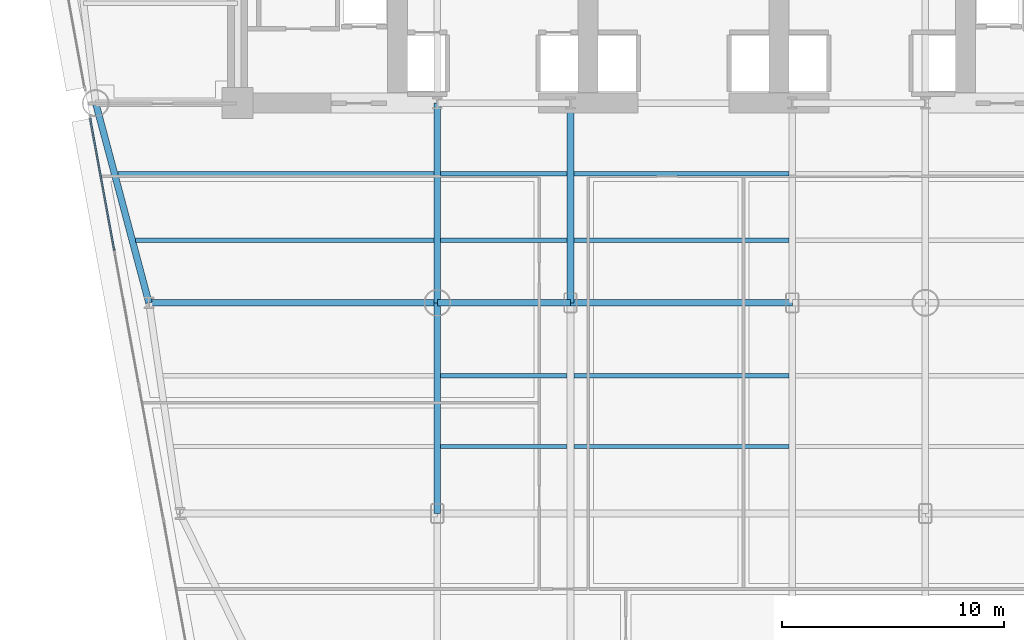
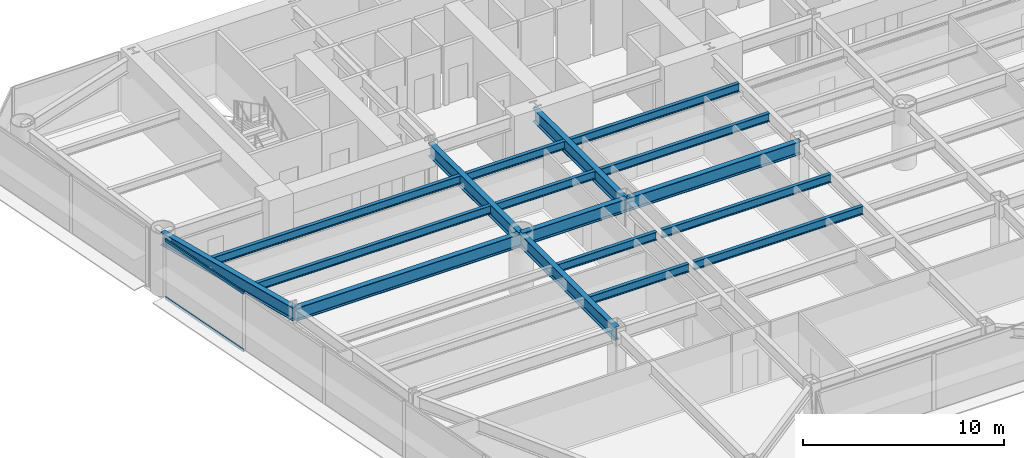
# One storey, part 3 of 14: 17 beams, 2 members, 1 element without a shape of its own.
"""IFC4 building model written with IfcOpenShell, lengths in metres."""

from ifc_helpers import new_model, si_unit, direction, frame, origin, origin_2d, place, context, subcontext, project, spatial, rectangle, i_section, extrude, source, transform, mapped, material, layer, layer_set, material_profile, profile_set, type_object, element, aggregate, save


model = new_model("IFC4")

# Units and contexts
model_context = context("Model", 3, precision=1e-05, world=origin(), true_north=direction((0.0, 1.0)))
body_context = subcontext(model_context, "Body", "Model", "MODEL_VIEW")
ifc_project = project(units=[si_unit("LENGTHUNIT", "METRE"), si_unit("AREAUNIT", "SQUARE_METRE"), si_unit("VOLUMEUNIT", "CUBIC_METRE"), si_unit("PLANEANGLEUNIT", "RADIAN"), si_unit("MASSUNIT", "GRAM", prefix="KILO")], contexts=[model_context])

# Site, building, storey
site_placement = place(None, origin())
site = spatial("IfcSite", under=ifc_project, at=site_placement, CompositionType="ELEMENT")
building_placement = place(site_placement, origin())
building = spatial("IfcBuilding", under=site, at=building_placement, Name="Vaeldorn Concourse Tower", CompositionType="ELEMENT")
storey_placement = place(building_placement, frame((0.0, 0.0, 72.0)))
storey = spatial("IfcBuildingStorey", under=building, at=storey_placement, Name="L18", CompositionType="ELEMENT", Elevation=72.0)

# Beams
ifc_material_1 = material(Name="Steel S355", Category="steel")
ifc_material_profile_1 = material_profile(ifc_material_1, i_section(OverallWidth=0.300048828125, OverallDepth=0.800048828125, WebThickness=0.017578125, FlangeThickness=0.032958984375, FilletRadius=0.030029296875, at=origin_2d()), Name="HEB 800")
ifc_profile_set_1 = profile_set([ifc_material_profile_1], Name="Steel S355")
beam_type_1 = type_object("IfcBeamType", Name="BM-PG-HEB800", PredefinedType="BEAM", material=ifc_profile_set_1)
shared_shape_1 = source(origin(), body_context, "Body", "SweptSolid", [
    extrude(i_section(OverallWidth=0.300048828125, OverallDepth=0.800048828125, WebThickness=0.017578125, FlangeThickness=0.032958984375, FilletRadius=0.030029296875, at=origin_2d()), origin(), (0.0, 0.0, 1.0), 6.0),
])
beam_1_placement = place(storey_placement, frame((23.0, 27.5, 3.179931640625), z_axis=(1.0, 0.0, 0.0), x_axis=(0.0, 1.0, 0.0)))
element("IfcBeam", 1, at=beam_1_placement, inside=storey, type_object=beam_type_1, Name="Beam BM-L18-C-TW1-C-TW2", PredefinedType="BEAM", context=body_context, shape_type="MappedRepresentation", body=[
    mapped(shared_shape_1, transform((0.0, 0.0, 0.0), scale=1.0)),
])
shared_shape_2 = source(origin(), body_context, "Body", "SweptSolid", [
    extrude(i_section(OverallWidth=0.300048828125, OverallDepth=0.800048828125, WebThickness=0.017578125, FlangeThickness=0.032958984375, FilletRadius=0.030029296875, at=origin_2d()), origin(), (0.0, 0.0, 1.0), 10.0),
])
beam_2_placement = place(storey_placement, frame((29.0, 27.5, 3.179931640625), z_axis=(1.0, 0.0, 0.0), x_axis=(0.0, 1.0, 0.0)))
element("IfcBeam", 2, at=beam_2_placement, inside=storey, type_object=beam_type_1, Name="Beam BM-L18-C-TW2-C-TW3", PredefinedType="BEAM", context=body_context, shape_type="MappedRepresentation", body=[
    mapped(shared_shape_2, transform((0.0, 0.0, 0.0), scale=1.0)),
])
shared_shape_3 = source(origin(), body_context, "Body", "SweptSolid", [
    extrude(i_section(OverallWidth=0.300048828125, OverallDepth=0.800048828125, WebThickness=0.017578125, FlangeThickness=0.032958984375, FilletRadius=0.030029296875, at=origin_2d()), origin(), (0.0, 0.0, 1.0), 9.0),
])
for number, where, z_axis, x_axis, name in (
    (3, (23.0, 27.5, 3.179931640625), (0.0, 1.0, 0.0), (-1.0, 0.0, 0.0), "Beam BM-L18-C-TW1-C-FC2"),
    (4, (29.0, 27.5, 3.179931640625), (0.0, 1.0, 0.0), (-1.0, 0.0, 0.0), "Beam BM-L18-C-TW2-C-FC3"),
):
    element("IfcBeam", number, at=place(storey_placement, frame(where, z_axis=z_axis, x_axis=x_axis)), inside=storey, type_object=beam_type_1, Name=name, PredefinedType="BEAM", context=body_context, shape_type="MappedRepresentation", body=[
        mapped(shared_shape_3, transform((0.0, 0.0, 0.0), scale=1.0)),
    ])
shared_shape_4 = source(origin(), body_context, "Body", "SweptSolid", [
    extrude(i_section(OverallWidth=0.300048828125, OverallDepth=0.800048828125, WebThickness=0.017578125, FlangeThickness=0.032958984375, FilletRadius=0.030029296875, at=origin_2d()), origin(), (0.0, 0.0, 1.0), 9.314453125),
])
beam_3_placement = place(storey_placement, frame((7.60009765625, 36.5, 3.179931640625), z_axis=(0.257652862255, -0.966237549763, 0.0), x_axis=(0.966237549763, 0.257652862255, 0.0)))
element("IfcBeam", 5, at=beam_3_placement, inside=storey, type_object=beam_type_1, Name="Beam BM-L18-C-NW2-C-FLW1", PredefinedType="BEAM", context=body_context, shape_type="MappedRepresentation", body=[
    mapped(shared_shape_4, transform((0.0, 0.0, 0.0), scale=1.0)),
])
shared_shape_5 = source(origin(), body_context, "Body", "SweptSolid", [
    extrude(i_section(OverallWidth=0.300048828125, OverallDepth=0.800048828125, WebThickness=0.017578125, FlangeThickness=0.032958984375, FilletRadius=0.030029296875, at=origin_2d()), origin(), (0.0, 0.0, 1.0), 13.0),
])
beam_4_placement = place(storey_placement, frame((10.0, 27.5, 3.179931640625), z_axis=(1.0, 0.0, 0.0), x_axis=(0.0, 1.0, 0.0)))
element("IfcBeam", 6, at=beam_4_placement, inside=storey, type_object=beam_type_1, Name="Beam BM-L18-C-FLW1-C-TW1", PredefinedType="BEAM", context=body_context, shape_type="MappedRepresentation", body=[
    mapped(shared_shape_5, transform((0.0, 0.0, 0.0), scale=1.0)),
])
shared_shape_6 = source(origin(), body_context, "Body", "SweptSolid", [
    extrude(i_section(OverallWidth=0.300048828125, OverallDepth=0.800048828125, WebThickness=0.017578125, FlangeThickness=0.032958984375, FilletRadius=0.030029296875, at=origin_2d()), origin(), (0.0, 0.0, 1.0), 9.5),
])
beam_5_placement = place(storey_placement, frame((23.0, 18.0, 3.179931640625), z_axis=(0.0, 1.0, 0.0), x_axis=(-1.0, 0.0, 0.0)))
element("IfcBeam", 7, at=beam_5_placement, inside=storey, type_object=beam_type_1, Name="Beam BM-L18-C-TW5-C-TW1", PredefinedType="BEAM", context=body_context, shape_type="MappedRepresentation", body=[
    mapped(shared_shape_6, transform((0.0, 0.0, 0.0), scale=1.0)),
])
ifc_material_profile_2 = material_profile(ifc_material_1, i_section(OverallWidth=0.199951171875, OverallDepth=0.5, WebThickness=0.01025390625, FlangeThickness=0.01611328125, FilletRadius=0.02099609375, at=origin_2d()), Name="IPE 500")
ifc_profile_set_2 = profile_set([ifc_material_profile_2], Name="Steel S355")
beam_type_2 = type_object("IfcBeamType", Name="BM-JS-IPE500", PredefinedType="JOIST", material=ifc_profile_set_2)
shared_shape_7 = source(origin(), body_context, "Body", "SweptSolid", [
    extrude(i_section(OverallWidth=0.199951171875, OverallDepth=0.5, WebThickness=0.01025390625, FlangeThickness=0.01611328125, FilletRadius=0.02099609375, at=origin_2d()), origin(), (0.0, 0.0, 1.0), 5.7001953125),
])
for number, where, z_axis, x_axis, name in (
    (8, (23.14990234375, 21.02001953125, 3.330078125), (1.0, 0.0, 0.0), (0.0, 1.0, 0.0), "Beam JS-L18-W2-210"),
    (9, (23.14990234375, 24.219970703125, 3.330078125), (1.0, 0.0, 0.0), (0.0, 1.0, 0.0), "Beam JS-L18-W2-242"),
    (10, (23.14990234375, 30.320068359375, 3.330078125), (1.0, 0.0, 0.0), (0.0, 1.0, 0.0), "Beam JS-L18-W2-303"),
    (11, (23.14990234375, 33.320068359375, 3.330078125), (1.0, 0.0, 0.0), (0.0, 1.0, 0.0), "Beam JS-L18-W2-333"),
):
    element("IfcBeam", number, at=place(storey_placement, frame(where, z_axis=z_axis, x_axis=x_axis)), inside=storey, type_object=beam_type_2, Name=name, PredefinedType="JOIST", context=body_context, shape_type="MappedRepresentation", body=[
        mapped(shared_shape_7, transform((0.0, 0.0, 0.0), scale=1.0)),
    ])
shared_shape_8 = source(origin(), body_context, "Body", "SweptSolid", [
    extrude(i_section(OverallWidth=0.199951171875, OverallDepth=0.5, WebThickness=0.01025390625, FlangeThickness=0.01611328125, FilletRadius=0.02099609375, at=origin_2d()), origin(), (0.0, 0.0, 1.0), 9.7001953125),
])
for number, where, z_axis, x_axis, name in (
    (12, (29.14990234375, 21.02001953125, 3.330078125), (1.0, 0.0, 0.0), (0.0, 1.0, 0.0), "Beam JS-L18-C-210"),
    (13, (29.14990234375, 24.219970703125, 3.330078125), (1.0, 0.0, 0.0), (0.0, 1.0, 0.0), "Beam JS-L18-C-242"),
    (14, (29.14990234375, 30.320068359375, 3.330078125), (1.0, 0.0, 0.0), (0.0, 1.0, 0.0), "Beam JS-L18-C-303"),
    (15, (29.14990234375, 33.320068359375, 3.330078125), (1.0, 0.0, 0.0), (0.0, 1.0, 0.0), "Beam JS-L18-C-333"),
):
    element("IfcBeam", number, at=place(storey_placement, frame(where, z_axis=z_axis, x_axis=x_axis)), inside=storey, type_object=beam_type_2, Name=name, PredefinedType="JOIST", context=body_context, shape_type="MappedRepresentation", body=[
        mapped(shared_shape_8, transform((0.0, 0.0, 0.0), scale=1.0)),
    ])
shared_shape_9 = source(origin(), body_context, "Body", "SweptSolid", [
    extrude(i_section(OverallWidth=0.199951171875, OverallDepth=0.5, WebThickness=0.01025390625, FlangeThickness=0.01611328125, FilletRadius=0.02099609375, at=origin_2d()), origin(), (0.0, 0.0, 1.0), 13.4521484375),
])
beam_6_placement = place(storey_placement, frame((9.39794921875, 30.320068359375, 3.330078125), z_axis=(1.0, 0.0, 0.0), x_axis=(0.0, 1.0, 0.0)))
element("IfcBeam", 16, at=beam_6_placement, inside=storey, type_object=beam_type_2, Name="Beam JS-L18-W1-303", PredefinedType="JOIST", context=body_context, shape_type="MappedRepresentation", body=[
    mapped(shared_shape_9, transform((0.0, 0.0, 0.0), scale=1.0)),
])
shared_shape_10 = source(origin(), body_context, "Body", "SweptSolid", [
    extrude(i_section(OverallWidth=0.199951171875, OverallDepth=0.5, WebThickness=0.01025390625, FlangeThickness=0.01611328125, FilletRadius=0.02099609375, at=origin_2d()), origin(), (0.0, 0.0, 1.0), 14.252197265625),
])
beam_7_placement = place(storey_placement, frame((8.597900390625, 33.320068359375, 3.330078125), z_axis=(1.0, 0.0, 0.0), x_axis=(0.0, 1.0, 0.0)))
element("IfcBeam", 17, at=beam_7_placement, inside=storey, type_object=beam_type_2, Name="Beam JS-L18-W1-333", PredefinedType="JOIST", context=body_context, shape_type="MappedRepresentation", body=[
    mapped(shared_shape_10, transform((0.0, 0.0, 0.0), scale=1.0)),
])

# Curtain wall, members
ifc_material_2 = material(Name="Anodised Bronze Aluminium", Category="aluminium")
ifc_layer = layer(ifc_material_2, 0.219970703125)
ifc_layer_set = layer_set([ifc_layer], Name="Anodised Bronze Aluminium")
curtain_wall_type = type_object("IfcCurtainWallType", Name="CW-SYS-01", PredefinedType="NOTDEFINED", material=ifc_layer_set)
curtain_wall_placement = place(storey_placement, origin())
curtain_wall = element("IfcCurtainWall", 18, at=curtain_wall_placement, inside=storey, type_object=curtain_wall_type, Name="Unitised Curtain Wall CW-L18-E11-2", PredefinedType="NOTDEFINED")
ifc_material_profile_3 = material_profile(ifc_material_2, rectangle(XDim=0.074951171875, YDim=0.179931640625, at=origin_2d()), Name="CWT 75x180")
ifc_profile_set_3 = profile_set([ifc_material_profile_3], Name="Anodised Bronze Aluminium")
member_type = type_object("IfcMemberType", Name="CWT-BRONZE-180", PredefinedType="USERDEFINED", material=ifc_profile_set_3)
shared_shape_11 = source(origin(), body_context, "Body", "SweptSolid", [
    extrude(rectangle(XDim=0.074951171875, YDim=0.179931640625, at=origin_2d()), origin(), (0.0, 0.0, 1.0), 6.0341796875),
])
member_1_placement = place(storey_placement, frame((7.354736328125, 35.806640625, 0.03759765625), z_axis=(0.179640198064, -0.983732381921, 0.0), x_axis=(0.983732381921, 0.179640198064, 0.0)))
member_1 = element("IfcMember", 19, at=member_1_placement, type_object=member_type, Name="CW-01 transom 1.1", ObjectType="TRANSOM", PredefinedType="USERDEFINED", context=body_context, shape_type="MappedRepresentation", body=[
    mapped(shared_shape_11, transform((0.0, 0.0, 0.0), scale=1.0)),
])
member_2_placement = place(storey_placement, frame((7.354736328125, 35.806640625, 3.54248046875), z_axis=(0.179640198064, -0.983732381921, 0.0), x_axis=(0.983732381921, 0.179640198064, 0.0)))
member_2 = element("IfcMember", 20, at=member_2_placement, type_object=member_type, Name="CW-01 transom 1.2", ObjectType="TRANSOM", PredefinedType="USERDEFINED", context=body_context, shape_type="MappedRepresentation", body=[
    mapped(shared_shape_11, transform((0.0, 0.0, 0.0), scale=1.0)),
])
aggregate(curtain_wall, [member_1, member_2])

save(model, "model.ifc")
